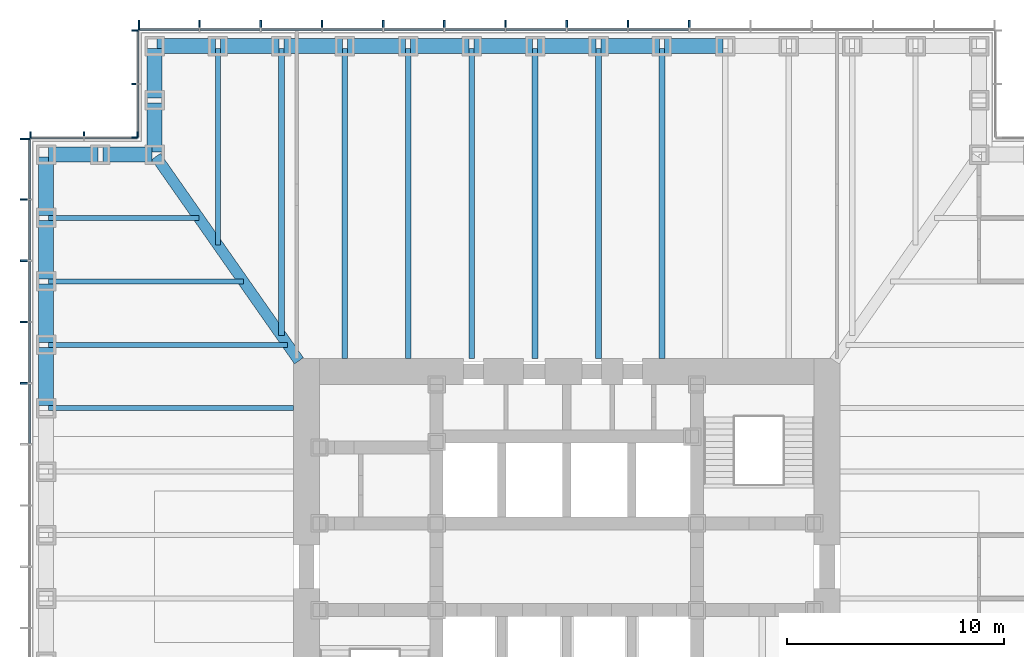
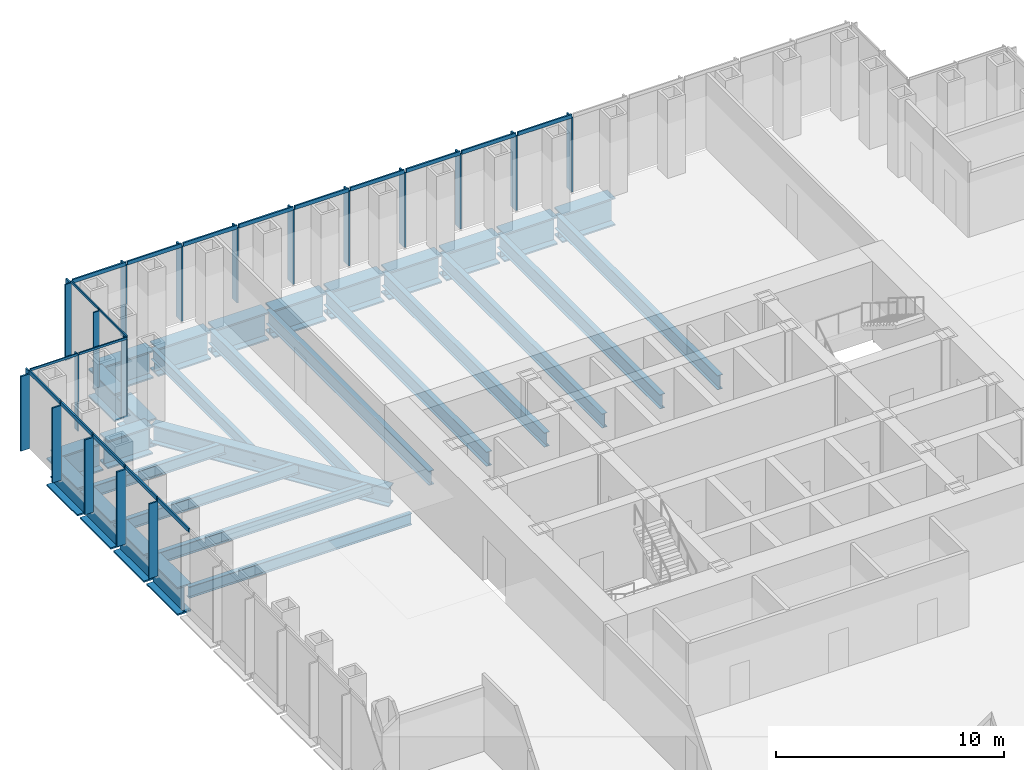
# One storey, part 5 of 16: 39 members, 30 beams, 4 elements without a shape of their own.
"""IFC4 building model written with IfcOpenShell, lengths in metres."""

from ifc_helpers import new_model, si_unit, direction, frame, origin, origin_2d, place, context, subcontext, project, spatial, rectangle, i_section, extrude, material, material_profile, profile_set, type_object, element, aggregate, save


model = new_model("IFC4")

# Units and contexts
model_context = context("Model", 3, precision=1e-05, world=origin(), true_north=direction((0.0, 1.0)))
body_context = subcontext(model_context, "Body", "Model", "MODEL_VIEW")
ifc_project = project(units=[si_unit("LENGTHUNIT", "METRE"), si_unit("AREAUNIT", "SQUARE_METRE"), si_unit("VOLUMEUNIT", "CUBIC_METRE"), si_unit("PLANEANGLEUNIT", "RADIAN"), si_unit("MASSUNIT", "GRAM", prefix="KILO")], contexts=[model_context])

# Site, building, storey
site_placement = place(None, origin())
site = spatial("IfcSite", under=ifc_project, at=site_placement, CompositionType="ELEMENT")
building_placement = place(site_placement, origin())
building = spatial("IfcBuilding", under=site, at=building_placement, Name="Daluyong Arena Tower", CompositionType="ELEMENT")
storey_placement = place(building_placement, frame((0.0, 0.0, 72.699951171875)))
storey = spatial("IfcBuildingStorey", under=building, at=storey_placement, Name="L15", CompositionType="ELEMENT", Elevation=72.699951171875)

# Curtain wall, members
ifc_material_1 = material(Name="Bronze anodised aluminium and glass", Category="aluminium")
curtain_wall_type_1 = type_object("IfcCurtainWallType", Name="Curtain wall CW1", PredefinedType="USERDEFINED", material=ifc_material_1)
curtain_wall_1_placement = place(storey_placement, origin())
curtain_wall_1 = element("IfcCurtainWall", 1, at=curtain_wall_1_placement, inside=storey, type_object=curtain_wall_type_1, Name="curtain wall L15 N", ObjectType="UNITISED CURTAIN WALL", PredefinedType="USERDEFINED")
ifc_material_2 = material(Name="Bronze anodised aluminium fin", Category="aluminium")
ifc_material_profile_1 = material_profile(ifc_material_2, rectangle(XDim=0.449951171875, YDim=0.080078125, at=origin_2d()))
ifc_profile_set_1 = profile_set([ifc_material_profile_1], Name="Bronze anodised aluminium fin")
member_type_1 = type_object("IfcMemberType", Name="CW1 bronze fin 450x80", PredefinedType="MULLION", material=ifc_profile_set_1)
member_1_placement = place(storey_placement, frame((61.642822265625, 104.97509765625, 0.0), z_axis=(0.0, 0.0, 1.0), x_axis=(0.0, -1.0, 0.0)))
member_1 = element("IfcMember", 2, at=member_1_placement, type_object=member_type_1, Name="curtain wall L15 N fin 6", PredefinedType="MULLION", context=body_context, shape_type="SweptSolid", body=[
    extrude(rectangle(XDim=0.449951171875, YDim=0.080078125, at=origin_2d()), origin(), (0.0, 0.0, 1.0), 4.0),
])
member_2_placement = place(storey_placement, frame((58.821533203125, 104.97509765625, 0.0), z_axis=(0.0, 0.0, 1.0), x_axis=(0.0, -1.0, 0.0)))
member_2 = element("IfcMember", 3, at=member_2_placement, type_object=member_type_1, Name="curtain wall L15 N fin 7", PredefinedType="MULLION", context=body_context, shape_type="SweptSolid", body=[
    extrude(rectangle(XDim=0.449951171875, YDim=0.080078125, at=origin_2d()), origin(), (0.0, 0.0, 1.0), 4.0),
])
member_3_placement = place(storey_placement, frame((56.0, 104.97509765625, 0.0), z_axis=(0.0, 0.0, 1.0), x_axis=(0.0, -1.0, 0.0)))
member_3 = element("IfcMember", 4, at=member_3_placement, type_object=member_type_1, Name="curtain wall L15 N fin 8", PredefinedType="MULLION", context=body_context, shape_type="SweptSolid", body=[
    extrude(rectangle(XDim=0.449951171875, YDim=0.080078125, at=origin_2d()), origin(), (0.0, 0.0, 1.0), 4.0),
])
member_4_placement = place(storey_placement, frame((53.178466796875, 104.97509765625, 0.0), z_axis=(0.0, 0.0, 1.0), x_axis=(0.0, -1.0, 0.0)))
member_4 = element("IfcMember", 5, at=member_4_placement, type_object=member_type_1, Name="curtain wall L15 N fin 9", PredefinedType="MULLION", context=body_context, shape_type="SweptSolid", body=[
    extrude(rectangle(XDim=0.449951171875, YDim=0.080078125, at=origin_2d()), origin(), (0.0, 0.0, 1.0), 4.0),
])
member_5_placement = place(storey_placement, frame((50.357177734375, 104.97509765625, 0.0), z_axis=(0.0, 0.0, 1.0), x_axis=(0.0, -1.0, 0.0)))
member_5 = element("IfcMember", 6, at=member_5_placement, type_object=member_type_1, Name="curtain wall L15 N fin 10", PredefinedType="MULLION", context=body_context, shape_type="SweptSolid", body=[
    extrude(rectangle(XDim=0.449951171875, YDim=0.080078125, at=origin_2d()), origin(), (0.0, 0.0, 1.0), 4.0),
])
member_6_placement = place(storey_placement, frame((47.53564453125, 104.97509765625, 0.0), z_axis=(0.0, 0.0, 1.0), x_axis=(0.0, -1.0, 0.0)))
member_6 = element("IfcMember", 7, at=member_6_placement, type_object=member_type_1, Name="curtain wall L15 N fin 11", PredefinedType="MULLION", context=body_context, shape_type="SweptSolid", body=[
    extrude(rectangle(XDim=0.449951171875, YDim=0.080078125, at=origin_2d()), origin(), (0.0, 0.0, 1.0), 4.0),
])
member_7_placement = place(storey_placement, frame((44.71435546875, 104.97509765625, 0.0), z_axis=(0.0, 0.0, 1.0), x_axis=(0.0, -1.0, 0.0)))
member_7 = element("IfcMember", 8, at=member_7_placement, type_object=member_type_1, Name="curtain wall L15 N fin 12", PredefinedType="MULLION", context=body_context, shape_type="SweptSolid", body=[
    extrude(rectangle(XDim=0.449951171875, YDim=0.080078125, at=origin_2d()), origin(), (0.0, 0.0, 1.0), 4.0),
])
member_8_placement = place(storey_placement, frame((41.892822265625, 104.97509765625, 0.0), z_axis=(0.0, 0.0, 1.0), x_axis=(0.0, -1.0, 0.0)))
member_8 = element("IfcMember", 9, at=member_8_placement, type_object=member_type_1, Name="curtain wall L15 N fin 13", PredefinedType="MULLION", context=body_context, shape_type="SweptSolid", body=[
    extrude(rectangle(XDim=0.449951171875, YDim=0.080078125, at=origin_2d()), origin(), (0.0, 0.0, 1.0), 4.0),
])
member_9_placement = place(storey_placement, frame((39.071533203125, 104.97509765625, 0.0), z_axis=(0.0, 0.0, 1.0), x_axis=(0.0, -1.0, 0.0)))
member_9 = element("IfcMember", 10, at=member_9_placement, type_object=member_type_1, Name="curtain wall L15 N fin 14", PredefinedType="MULLION", context=body_context, shape_type="SweptSolid", body=[
    extrude(rectangle(XDim=0.449951171875, YDim=0.080078125, at=origin_2d()), origin(), (0.0, 0.0, 1.0), 4.0),
])
member_10_placement = place(storey_placement, frame((36.2900390625, 104.97509765625, 0.0), z_axis=(0.0, 0.0, 1.0), x_axis=(0.0, -1.0, 0.0)))
member_10 = element("IfcMember", 11, at=member_10_placement, type_object=member_type_1, Name="curtain wall L15 N fin 15", PredefinedType="MULLION", context=body_context, shape_type="SweptSolid", body=[
    extrude(rectangle(XDim=0.449951171875, YDim=0.080078125, at=origin_2d()), origin(), (0.0, 0.0, 1.0), 4.0),
])

curtain_wall_2_placement = place(storey_placement, origin())
curtain_wall_2 = element("IfcCurtainWall", 12, at=curtain_wall_2_placement, inside=storey, type_object=curtain_wall_type_1, Name="curtain wall L15 W", ObjectType="UNITISED CURTAIN WALL", PredefinedType="USERDEFINED")
member_11_placement = place(storey_placement, frame((31.02490234375, 99.7099609375, 0.0), z_axis=(0.0, 0.0, 1.0), x_axis=(1.0, 0.0, 0.0)))
member_11 = element("IfcMember", 13, at=member_11_placement, type_object=member_type_1, Name="curtain wall L15 W fin 1", PredefinedType="MULLION", context=body_context, shape_type="SweptSolid", body=[
    extrude(rectangle(XDim=0.449951171875, YDim=0.080078125, at=origin_2d()), origin(), (0.0, 0.0, 1.0), 4.0),
])
member_12_placement = place(storey_placement, frame((31.02490234375, 96.928466796875, 0.0), z_axis=(0.0, 0.0, 1.0), x_axis=(1.0, 0.0, 0.0)))
member_12 = element("IfcMember", 14, at=member_12_placement, type_object=member_type_1, Name="curtain wall L15 W fin 2", PredefinedType="MULLION", context=body_context, shape_type="SweptSolid", body=[
    extrude(rectangle(XDim=0.449951171875, YDim=0.080078125, at=origin_2d()), origin(), (0.0, 0.0, 1.0), 4.0),
])
member_13_placement = place(storey_placement, frame((31.02490234375, 94.107177734375, 0.0), z_axis=(0.0, 0.0, 1.0), x_axis=(1.0, 0.0, 0.0)))
member_13 = element("IfcMember", 15, at=member_13_placement, type_object=member_type_1, Name="curtain wall L15 W fin 3", PredefinedType="MULLION", context=body_context, shape_type="SweptSolid", body=[
    extrude(rectangle(XDim=0.449951171875, YDim=0.080078125, at=origin_2d()), origin(), (0.0, 0.0, 1.0), 4.0),
])
member_14_placement = place(storey_placement, frame((31.02490234375, 91.28564453125, 0.0), z_axis=(0.0, 0.0, 1.0), x_axis=(1.0, 0.0, 0.0)))
member_14 = element("IfcMember", 16, at=member_14_placement, type_object=member_type_1, Name="curtain wall L15 W fin 4", PredefinedType="MULLION", context=body_context, shape_type="SweptSolid", body=[
    extrude(rectangle(XDim=0.449951171875, YDim=0.080078125, at=origin_2d()), origin(), (0.0, 0.0, 1.0), 4.0),
])
member_15_placement = place(storey_placement, frame((31.02490234375, 88.46435546875, 0.0), z_axis=(0.0, 0.0, 1.0), x_axis=(1.0, 0.0, 0.0)))
member_15 = element("IfcMember", 17, at=member_15_placement, type_object=member_type_1, Name="curtain wall L15 W fin 5", PredefinedType="MULLION", context=body_context, shape_type="SweptSolid", body=[
    extrude(rectangle(XDim=0.449951171875, YDim=0.080078125, at=origin_2d()), origin(), (0.0, 0.0, 1.0), 4.0),
])

# Member
ifc_material_3 = material(Name="Bronze anodised aluminium", Category="aluminium")
ifc_material_profile_2 = material_profile(ifc_material_3, rectangle(XDim=0.080078125, YDim=0.199951171875, at=origin_2d()))
ifc_profile_set_2 = profile_set([ifc_material_profile_2], Name="Bronze anodised aluminium")
member_type_2 = type_object("IfcMemberType", Name="CW1 stack transom 200x80", PredefinedType="USERDEFINED", material=ifc_profile_set_2)
member_16_placement = place(storey_placement, frame((61.602783203125, 104.75, 4.10009765625), z_axis=(-1.0, 0.0, 0.0), x_axis=(0.0, -1.0, 0.0)))
member_16 = element("IfcMember", 18, at=member_16_placement, type_object=member_type_2, Name="curtain wall L15 N transom 6", ObjectType="TRANSOM", PredefinedType="USERDEFINED", context=body_context, shape_type="SweptSolid", body=[
    extrude(rectangle(XDim=0.080078125, YDim=0.199951171875, at=origin_2d()), origin(), (0.0, 0.0, 1.0), 2.741455078125),
])

member_17_placement = place(storey_placement, frame((58.781494140625, 104.75, 4.10009765625), z_axis=(-1.0, 0.0, 0.0), x_axis=(0.0, -1.0, 0.0)))
member_17 = element("IfcMember", 19, at=member_17_placement, type_object=member_type_2, Name="curtain wall L15 N transom 7", ObjectType="TRANSOM", PredefinedType="USERDEFINED", context=body_context, shape_type="SweptSolid", body=[
    extrude(rectangle(XDim=0.080078125, YDim=0.199951171875, at=origin_2d()), origin(), (0.0, 0.0, 1.0), 2.741455078125),
])

member_18_placement = place(storey_placement, frame((55.9599609375, 104.75, 4.10009765625), z_axis=(-1.0, 0.0, 0.0), x_axis=(0.0, -1.0, 0.0)))
member_18 = element("IfcMember", 20, at=member_18_placement, type_object=member_type_2, Name="curtain wall L15 N transom 8", ObjectType="TRANSOM", PredefinedType="USERDEFINED", context=body_context, shape_type="SweptSolid", body=[
    extrude(rectangle(XDim=0.080078125, YDim=0.199951171875, at=origin_2d()), origin(), (0.0, 0.0, 1.0), 2.741455078125),
])

member_19_placement = place(storey_placement, frame((53.138671875, 104.75, 4.10009765625), z_axis=(-1.0, 0.0, 0.0), x_axis=(0.0, -1.0, 0.0)))
member_19 = element("IfcMember", 21, at=member_19_placement, type_object=member_type_2, Name="curtain wall L15 N transom 9", ObjectType="TRANSOM", PredefinedType="USERDEFINED", context=body_context, shape_type="SweptSolid", body=[
    extrude(rectangle(XDim=0.080078125, YDim=0.199951171875, at=origin_2d()), origin(), (0.0, 0.0, 1.0), 2.741455078125),
])

member_20_placement = place(storey_placement, frame((50.317138671875, 104.75, 4.10009765625), z_axis=(-1.0, 0.0, 0.0), x_axis=(0.0, -1.0, 0.0)))
member_20 = element("IfcMember", 22, at=member_20_placement, type_object=member_type_2, Name="curtain wall L15 N transom 10", ObjectType="TRANSOM", PredefinedType="USERDEFINED", context=body_context, shape_type="SweptSolid", body=[
    extrude(rectangle(XDim=0.080078125, YDim=0.199951171875, at=origin_2d()), origin(), (0.0, 0.0, 1.0), 2.741455078125),
])

member_21_placement = place(storey_placement, frame((47.49560546875, 104.75, 4.10009765625), z_axis=(-1.0, 0.0, 0.0), x_axis=(0.0, -1.0, 0.0)))
member_21 = element("IfcMember", 23, at=member_21_placement, type_object=member_type_2, Name="curtain wall L15 N transom 11", ObjectType="TRANSOM", PredefinedType="USERDEFINED", context=body_context, shape_type="SweptSolid", body=[
    extrude(rectangle(XDim=0.080078125, YDim=0.199951171875, at=origin_2d()), origin(), (0.0, 0.0, 1.0), 2.7412109375),
])

member_22_placement = place(storey_placement, frame((44.67431640625, 104.75, 4.10009765625), z_axis=(-1.0, 0.0, 0.0), x_axis=(0.0, -1.0, 0.0)))
member_22 = element("IfcMember", 24, at=member_22_placement, type_object=member_type_2, Name="curtain wall L15 N transom 12", ObjectType="TRANSOM", PredefinedType="USERDEFINED", context=body_context, shape_type="SweptSolid", body=[
    extrude(rectangle(XDim=0.080078125, YDim=0.199951171875, at=origin_2d()), origin(), (0.0, 0.0, 1.0), 2.741455078125),
])

member_23_placement = place(storey_placement, frame((41.852783203125, 104.75, 4.10009765625), z_axis=(-1.0, 0.0, 0.0), x_axis=(0.0, -1.0, 0.0)))
member_23 = element("IfcMember", 25, at=member_23_placement, type_object=member_type_2, Name="curtain wall L15 N transom 13", ObjectType="TRANSOM", PredefinedType="USERDEFINED", context=body_context, shape_type="SweptSolid", body=[
    extrude(rectangle(XDim=0.080078125, YDim=0.199951171875, at=origin_2d()), origin(), (0.0, 0.0, 1.0), 2.741455078125),
])

member_24_placement = place(storey_placement, frame((39.031494140625, 104.75, 4.10009765625), z_axis=(-1.0, 0.0, 0.0), x_axis=(0.0, -1.0, 0.0)))
member_24 = element("IfcMember", 26, at=member_24_placement, type_object=member_type_2, Name="curtain wall L15 N transom 14", ObjectType="TRANSOM", PredefinedType="USERDEFINED", context=body_context, shape_type="SweptSolid", body=[
    extrude(rectangle(XDim=0.080078125, YDim=0.199951171875, at=origin_2d()), origin(), (0.0, 0.0, 1.0), 2.701416015625),
])

aggregate(curtain_wall_1, [member_1, member_2, member_3, member_4, member_5, member_6, member_7, member_8, member_9, member_10, member_16, member_17, member_18, member_19, member_20, member_21, member_22, member_23, member_24])

member_25_placement = place(storey_placement, frame((31.25, 99.669921875, 4.10009765625), z_axis=(0.0, -1.0, 0.0), x_axis=(1.0, 0.0, 0.0)))
member_25 = element("IfcMember", 27, at=member_25_placement, type_object=member_type_2, Name="curtain wall L15 W transom 1", ObjectType="TRANSOM", PredefinedType="USERDEFINED", context=body_context, shape_type="SweptSolid", body=[
    extrude(rectangle(XDim=0.080078125, YDim=0.199951171875, at=origin_2d()), origin(), (0.0, 0.0, 1.0), 2.701416015625),
])

member_26_placement = place(storey_placement, frame((31.25, 96.888671875, 4.10009765625), z_axis=(0.0, -1.0, 0.0), x_axis=(1.0, 0.0, 0.0)))
member_26 = element("IfcMember", 28, at=member_26_placement, type_object=member_type_2, Name="curtain wall L15 W transom 2", ObjectType="TRANSOM", PredefinedType="USERDEFINED", context=body_context, shape_type="SweptSolid", body=[
    extrude(rectangle(XDim=0.080078125, YDim=0.199951171875, at=origin_2d()), origin(), (0.0, 0.0, 1.0), 2.741455078125),
])

member_27_placement = place(storey_placement, frame((31.25, 94.067138671875, 4.10009765625), z_axis=(0.0, -1.0, 0.0), x_axis=(1.0, 0.0, 0.0)))
member_27 = element("IfcMember", 29, at=member_27_placement, type_object=member_type_2, Name="curtain wall L15 W transom 3", ObjectType="TRANSOM", PredefinedType="USERDEFINED", context=body_context, shape_type="SweptSolid", body=[
    extrude(rectangle(XDim=0.080078125, YDim=0.199951171875, at=origin_2d()), origin(), (0.0, 0.0, 1.0), 2.741455078125),
])

member_28_placement = place(storey_placement, frame((31.25, 91.24560546875, 4.10009765625), z_axis=(0.0, -1.0, 0.0), x_axis=(1.0, 0.0, 0.0)))
member_28 = element("IfcMember", 30, at=member_28_placement, type_object=member_type_2, Name="curtain wall L15 W transom 4", ObjectType="TRANSOM", PredefinedType="USERDEFINED", context=body_context, shape_type="SweptSolid", body=[
    extrude(rectangle(XDim=0.080078125, YDim=0.199951171875, at=origin_2d()), origin(), (0.0, 0.0, 1.0), 2.7412109375),
])

member_29_placement = place(storey_placement, frame((31.25, 88.42431640625, 4.10009765625), z_axis=(0.0, -1.0, 0.0), x_axis=(1.0, 0.0, 0.0)))
member_29 = element("IfcMember", 31, at=member_29_placement, type_object=member_type_2, Name="curtain wall L15 W transom 5", ObjectType="TRANSOM", PredefinedType="USERDEFINED", context=body_context, shape_type="SweptSolid", body=[
    extrude(rectangle(XDim=0.080078125, YDim=0.199951171875, at=origin_2d()), origin(), (0.0, 0.0, 1.0), 2.741455078125),
])

aggregate(curtain_wall_2, [member_11, member_12, member_13, member_14, member_15, member_25, member_26, member_27, member_28, member_29])

# Curtain wall, members
ifc_material_4 = material(Name="Bronze anodised aluminium and glass", Category="aluminium")
curtain_wall_type_2 = type_object("IfcCurtainWallType", Name="Curtain wall CW7", PredefinedType="USERDEFINED", material=ifc_material_4)
curtain_wall_3_placement = place(storey_placement, origin())
curtain_wall_3 = element("IfcCurtainWall", 32, at=curtain_wall_3_placement, inside=storey, type_object=curtain_wall_type_2, Name="curtain wall L15 NW-W", ObjectType="UNITISED CURTAIN WALL", PredefinedType="USERDEFINED")
ifc_material_5 = material(Name="Bronze anodised aluminium fin", Category="aluminium")
ifc_material_profile_3 = material_profile(ifc_material_5, rectangle(XDim=0.300048828125, YDim=0.06005859375, at=origin_2d()))
ifc_profile_set_3 = profile_set([ifc_material_profile_3], Name="Bronze anodised aluminium fin")
member_type_3 = type_object("IfcMemberType", Name="CW7 bronze fin 300x60", PredefinedType="MULLION", material=ifc_profile_set_3)
member_30_placement = place(storey_placement, frame((36.10009765625, 104.719970703125, 0.0), z_axis=(0.0, 0.0, 1.0), x_axis=(1.0, 0.0, 0.0)))
member_30 = element("IfcMember", 33, at=member_30_placement, type_object=member_type_3, Name="curtain wall L15 NW-W fin 1", PredefinedType="MULLION", context=body_context, shape_type="SweptSolid", body=[
    extrude(rectangle(XDim=0.300048828125, YDim=0.06005859375, at=origin_2d()), origin(), (0.0, 0.0, 1.0), 4.080078125),
])
member_31_placement = place(storey_placement, frame((36.10009765625, 102.25, 0.0), z_axis=(0.0, 0.0, 1.0), x_axis=(1.0, 0.0, 0.0)))
member_31 = element("IfcMember", 34, at=member_31_placement, type_object=member_type_3, Name="curtain wall L15 NW-W fin 2", PredefinedType="MULLION", context=body_context, shape_type="SweptSolid", body=[
    extrude(rectangle(XDim=0.300048828125, YDim=0.06005859375, at=origin_2d()), origin(), (0.0, 0.0, 1.0), 4.080078125),
])
member_32_placement = place(storey_placement, frame((36.10009765625, 99.780029296875, 0.0), z_axis=(0.0, 0.0, 1.0), x_axis=(1.0, 0.0, 0.0)))
member_32 = element("IfcMember", 35, at=member_32_placement, type_object=member_type_3, Name="curtain wall L15 NW-W fin 3", PredefinedType="MULLION", context=body_context, shape_type="SweptSolid", body=[
    extrude(rectangle(XDim=0.300048828125, YDim=0.06005859375, at=origin_2d()), origin(), (0.0, 0.0, 1.0), 4.080078125),
])

curtain_wall_4_placement = place(storey_placement, origin())
curtain_wall_4 = element("IfcCurtainWall", 36, at=curtain_wall_4_placement, inside=storey, type_object=curtain_wall_type_2, Name="curtain wall L15 NW-N", ObjectType="UNITISED CURTAIN WALL", PredefinedType="USERDEFINED")
member_33_placement = place(storey_placement, frame((36.219970703125, 99.89990234375, 0.0), z_axis=(0.0, 0.0, 1.0), x_axis=(0.0, -1.0, 0.0)))
member_33 = element("IfcMember", 37, at=member_33_placement, type_object=member_type_3, Name="curtain wall L15 NW-N fin 1", PredefinedType="MULLION", context=body_context, shape_type="SweptSolid", body=[
    extrude(rectangle(XDim=0.300048828125, YDim=0.06005859375, at=origin_2d()), origin(), (0.0, 0.0, 1.0), 4.080078125),
])
member_34_placement = place(storey_placement, frame((33.75, 99.89990234375, 0.0), z_axis=(0.0, 0.0, 1.0), x_axis=(0.0, -1.0, 0.0)))
member_34 = element("IfcMember", 38, at=member_34_placement, type_object=member_type_3, Name="curtain wall L15 NW-N fin 2", PredefinedType="MULLION", context=body_context, shape_type="SweptSolid", body=[
    extrude(rectangle(XDim=0.300048828125, YDim=0.06005859375, at=origin_2d()), origin(), (0.0, 0.0, 1.0), 4.080078125),
])
member_35_placement = place(storey_placement, frame((31.280029296875, 99.89990234375, 0.0), z_axis=(0.0, 0.0, 1.0), x_axis=(0.0, -1.0, 0.0)))
member_35 = element("IfcMember", 39, at=member_35_placement, type_object=member_type_3, Name="curtain wall L15 NW-N fin 3", PredefinedType="MULLION", context=body_context, shape_type="SweptSolid", body=[
    extrude(rectangle(XDim=0.300048828125, YDim=0.06005859375, at=origin_2d()), origin(), (0.0, 0.0, 1.0), 4.080078125),
])

# Member
ifc_material_6 = material(Name="Bronze anodised aluminium", Category="aluminium")
ifc_material_profile_4 = material_profile(ifc_material_6, rectangle(XDim=0.06005859375, YDim=0.1201171875, at=origin_2d()))
ifc_profile_set_4 = profile_set([ifc_material_profile_4], Name="Bronze anodised aluminium")
member_type_4 = type_object("IfcMemberType", Name="CW7 stack transom 120x60", PredefinedType="USERDEFINED", material=ifc_profile_set_4)
member_36_placement = place(storey_placement, frame((36.25, 104.68994140625, 4.14013671875), z_axis=(0.0, -1.0, 0.0), x_axis=(1.0, 0.0, 0.0)))
member_36 = element("IfcMember", 40, at=member_36_placement, type_object=member_type_4, Name="curtain wall L15 NW-W transom 1", ObjectType="TRANSOM", PredefinedType="USERDEFINED", context=body_context, shape_type="SweptSolid", body=[
    extrude(rectangle(XDim=0.06005859375, YDim=0.1201171875, at=origin_2d()), origin(), (0.0, 0.0, 1.0), 2.409912109375),
])

member_37_placement = place(storey_placement, frame((36.25, 102.219970703125, 4.14013671875), z_axis=(0.0, -1.0, 0.0), x_axis=(1.0, 0.0, 0.0)))
member_37 = element("IfcMember", 41, at=member_37_placement, type_object=member_type_4, Name="curtain wall L15 NW-W transom 2", ObjectType="TRANSOM", PredefinedType="USERDEFINED", context=body_context, shape_type="SweptSolid", body=[
    extrude(rectangle(XDim=0.06005859375, YDim=0.1201171875, at=origin_2d()), origin(), (0.0, 0.0, 1.0), 2.409912109375),
])

aggregate(curtain_wall_3, [member_30, member_31, member_32, member_36, member_37])

member_38_placement = place(storey_placement, frame((36.18994140625, 99.75, 4.14013671875), z_axis=(-1.0, 0.0, 0.0), x_axis=(0.0, -1.0, 0.0)))
member_38 = element("IfcMember", 42, at=member_38_placement, type_object=member_type_4, Name="curtain wall L15 NW-N transom 1", ObjectType="TRANSOM", PredefinedType="USERDEFINED", context=body_context, shape_type="SweptSolid", body=[
    extrude(rectangle(XDim=0.06005859375, YDim=0.1201171875, at=origin_2d()), origin(), (0.0, 0.0, 1.0), 2.409912109375),
])

member_39_placement = place(storey_placement, frame((33.719970703125, 99.75, 4.14013671875), z_axis=(-1.0, 0.0, 0.0), x_axis=(0.0, -1.0, 0.0)))
member_39 = element("IfcMember", 43, at=member_39_placement, type_object=member_type_4, Name="curtain wall L15 NW-N transom 2", ObjectType="TRANSOM", PredefinedType="USERDEFINED", context=body_context, shape_type="SweptSolid", body=[
    extrude(rectangle(XDim=0.06005859375, YDim=0.1201171875, at=origin_2d()), origin(), (0.0, 0.0, 1.0), 2.409912109375),
])

aggregate(curtain_wall_4, [member_33, member_34, member_35, member_38, member_39])

# Beams
ifc_material_7 = material(Name="Steel ASTM A572 Grade 50", Category="steel")
ifc_material_profile_5 = material_profile(ifc_material_7, i_section(OverallWidth=0.5, OverallDepth=1.0, WebThickness=0.03, FlangeThickness=0.06, at=origin_2d()))
ifc_profile_set_5 = profile_set([ifc_material_profile_5], Name="Steel ASTM A572 Grade 50")
beam_type_1 = type_object("IfcBeamType", Name="Corner girder TB1000X500", PredefinedType="BEAM", material=ifc_profile_set_5)
beam_1_placement = place(storey_placement, frame((37.06591796875, 98.90576171875, -0.659912109375), z_axis=(0.573466621875, -0.819228926244, 0.0), x_axis=(0.819228926244, 0.573466621875, 0.0)))
element("IfcBeam", 44, at=beam_1_placement, inside=storey, type_object=beam_type_1, Name="corner girder DG2", PredefinedType="BEAM", context=body_context, shape_type="SweptSolid", body=[
    extrude(i_section(OverallWidth=0.5, OverallDepth=1.0, WebThickness=0.03, FlangeThickness=0.06, at=origin_2d()), origin(), (0.0, 0.0, 1.0), 11.49169921875),
])
ifc_material_8 = material(Name="Steel ASTM A992 Grade 50", Category="steel")
ifc_material_profile_6 = material_profile(ifc_material_8, i_section(OverallWidth=0.22900390625, OverallDepth=0.612060546875, WebThickness=0.011962890625, FlangeThickness=0.01953125, at=origin_2d()))
ifc_profile_set_6 = profile_set([ifc_material_profile_6], Name="Steel ASTM A992 Grade 50")
beam_type_2 = type_object("IfcBeamType", Name="Floor beam W24X84", PredefinedType="BEAM", material=ifc_profile_set_6)
beam_2_placement = place(storey_placement, frame((39.923095703125, 103.885009765625, -0.466064453125), z_axis=(0.0, -1.0, 0.0), x_axis=(1.0, 0.0, 0.0)))
element("IfcBeam", 45, at=beam_2_placement, inside=storey, type_object=beam_type_2, Name="floor beam FB3", PredefinedType="BEAM", context=body_context, shape_type="SweptSolid", body=[
    extrude(i_section(OverallWidth=0.22900390625, OverallDepth=0.612060546875, WebThickness=0.011962890625, FlangeThickness=0.01953125, at=origin_2d()), origin(), (0.0, 0.0, 1.0), 9.060791015625),
])
beam_3_placement = place(storey_placement, frame((32.114990234375, 96.076904296875, -0.466064453125), z_axis=(1.0, 0.0, 0.0), x_axis=(0.0, 1.0, 0.0)))
element("IfcBeam", 46, at=beam_3_placement, inside=storey, type_object=beam_type_2, Name="floor beam FB3", PredefinedType="BEAM", context=body_context, shape_type="SweptSolid", body=[
    extrude(i_section(OverallWidth=0.22900390625, OverallDepth=0.612060546875, WebThickness=0.011962890625, FlangeThickness=0.01953125, at=origin_2d()), origin(), (0.0, 0.0, 1.0), 6.93115234375),
])
beam_4_placement = place(storey_placement, frame((32.114990234375, 93.15380859375, -0.466064453125), z_axis=(1.0, 0.0, 0.0), x_axis=(0.0, 1.0, 0.0)))
element("IfcBeam", 47, at=beam_4_placement, inside=storey, type_object=beam_type_2, Name="floor beam FB3", PredefinedType="BEAM", context=body_context, shape_type="SweptSolid", body=[
    extrude(i_section(OverallWidth=0.22900390625, OverallDepth=0.612060546875, WebThickness=0.011962890625, FlangeThickness=0.01953125, at=origin_2d()), origin(), (0.0, 0.0, 1.0), 8.977294921875),
])
beam_5_placement = place(storey_placement, frame((32.114990234375, 90.230712890625, -0.466064453125), z_axis=(1.0, 0.0, 0.0), x_axis=(0.0, 1.0, 0.0)))
element("IfcBeam", 48, at=beam_5_placement, inside=storey, type_object=beam_type_2, Name="floor beam FB3", PredefinedType="BEAM", context=body_context, shape_type="SweptSolid", body=[
    extrude(i_section(OverallWidth=0.22900390625, OverallDepth=0.612060546875, WebThickness=0.011962890625, FlangeThickness=0.01953125, at=origin_2d()), origin(), (0.0, 0.0, 1.0), 11.0234375),
])
beam_6_placement = place(storey_placement, frame((32.114990234375, 87.3076171875, -0.466064453125), z_axis=(1.0, 0.0, 0.0), x_axis=(0.0, 1.0, 0.0)))
element("IfcBeam", 49, at=beam_6_placement, inside=storey, type_object=beam_type_2, Name="floor beam FB3", PredefinedType="BEAM", context=body_context, shape_type="SweptSolid", body=[
    extrude(i_section(OverallWidth=0.22900390625, OverallDepth=0.612060546875, WebThickness=0.011962890625, FlangeThickness=0.01953125, at=origin_2d()), origin(), (0.0, 0.0, 1.0), 11.284912109375),
])
ifc_material_9 = material(Name="Steel ASTM A992 Grade 50", Category="steel")
ifc_material_profile_7 = material_profile(ifc_material_9, i_section(OverallWidth=0.2666015625, OverallDepth=0.761962890625, WebThickness=0.014404296875, FlangeThickness=0.021484375, at=origin_2d()))
ifc_profile_set_7 = profile_set([ifc_material_profile_7], Name="Steel ASTM A992 Grade 50")
beam_type_3 = type_object("IfcBeamType", Name="Floor beam W30X116", PredefinedType="BEAM", material=ifc_profile_set_7)
for number, where, z_axis, x_axis, name in (
    (50, (60.384521484375, 103.885009765625, -0.541015625), (0.0, -1.0, 0.0), (1.0, 0.0, 0.0), "floor beam FB4"),
    (51, (57.46142578125, 103.885009765625, -0.541015625), (0.0, -1.0, 0.0), (1.0, 0.0, 0.0), "floor beam FB4"),
    (52, (54.53857421875, 103.885009765625, -0.541015625), (0.0, -1.0, 0.0), (1.0, 0.0, 0.0), "floor beam FB4"),
    (53, (51.615478515625, 103.885009765625, -0.541015625), (0.0, -1.0, 0.0), (1.0, 0.0, 0.0), "floor beam FB4"),
    (54, (48.6923828125, 103.885009765625, -0.541015625), (0.0, -1.0, 0.0), (1.0, 0.0, 0.0), "floor beam FB4"),
    (55, (45.769287109375, 103.885009765625, -0.541015625), (0.0, -1.0, 0.0), (1.0, 0.0, 0.0), "floor beam FB4"),
):
    element("IfcBeam", number, at=place(storey_placement, frame(where, z_axis=z_axis, x_axis=x_axis)), inside=storey, type_object=beam_type_3, Name=name, PredefinedType="BEAM", context=body_context, shape_type="SweptSolid", body=[
        extrude(i_section(OverallWidth=0.2666015625, OverallDepth=0.761962890625, WebThickness=0.014404296875, FlangeThickness=0.021484375, at=origin_2d()), origin(), (0.0, 0.0, 1.0), 14.284912109375),
    ])
beam_7_placement = place(storey_placement, frame((42.84619140625, 103.885009765625, -0.541015625), z_axis=(0.0, -1.0, 0.0), x_axis=(1.0, 0.0, 0.0)))
element("IfcBeam", 56, at=beam_7_placement, inside=storey, type_object=beam_type_3, Name="floor beam FB4", PredefinedType="BEAM", context=body_context, shape_type="SweptSolid", body=[
    extrude(i_section(OverallWidth=0.2666015625, OverallDepth=0.761962890625, WebThickness=0.014404296875, FlangeThickness=0.021484375, at=origin_2d()), origin(), (0.0, 0.0, 1.0), 13.236572265625),
])
ifc_material_10 = material(Name="Steel ASTM A572 Grade 50", Category="steel")
ifc_material_profile_8 = material_profile(ifc_material_10, i_section(OverallWidth=0.699951171875, OverallDepth=1.5, WebThickness=0.04, FlangeThickness=0.08, at=origin_2d()))
ifc_profile_set_8 = profile_set([ifc_material_profile_8], Name="Steel ASTM A572 Grade 50")
beam_type_4 = type_object("IfcBeamType", Name="Spandrel Z1 PG1500X700", PredefinedType="SPANDREL", material=ifc_profile_set_8)
for number, where, z_axis, x_axis, name in (
    (57, (63.192626953125, 104.0, -0.909912109375), (-1.0, 0.0, 0.0), (0.0, -1.0, 0.0), "spandrel z1 SB4"),
    (58, (60.26953125, 104.0, -0.909912109375), (-1.0, 0.0, 0.0), (0.0, -1.0, 0.0), "spandrel z1 SB4"),
):
    element("IfcBeam", number, at=place(storey_placement, frame(where, z_axis=z_axis, x_axis=x_axis)), inside=storey, type_object=beam_type_4, Name=name, PredefinedType="SPANDREL", context=body_context, shape_type="SweptSolid", body=[
        extrude(i_section(OverallWidth=0.699951171875, OverallDepth=1.5, WebThickness=0.04, FlangeThickness=0.08, at=origin_2d()), origin(), (0.0, 0.0, 1.0), 2.693115234375),
    ])
beam_8_placement = place(storey_placement, frame((57.346435546875, 104.0, -0.909912109375), z_axis=(-1.0, 0.0, 0.0), x_axis=(0.0, -1.0, 0.0)))
element("IfcBeam", 59, at=beam_8_placement, inside=storey, type_object=beam_type_4, Name="spandrel z1 SB4", PredefinedType="SPANDREL", context=body_context, shape_type="SweptSolid", body=[
    extrude(i_section(OverallWidth=0.699951171875, OverallDepth=1.5, WebThickness=0.04, FlangeThickness=0.08, at=origin_2d()), origin(), (0.0, 0.0, 1.0), 2.69287109375),
])
for number, where, z_axis, x_axis, name in (
    (60, (54.423583984375, 104.0, -0.909912109375), (-1.0, 0.0, 0.0), (0.0, -1.0, 0.0), "spandrel z1 SB4"),
    (61, (51.50048828125, 104.0, -0.909912109375), (-1.0, 0.0, 0.0), (0.0, -1.0, 0.0), "spandrel z1 SB4"),
    (62, (48.577392578125, 104.0, -0.909912109375), (-1.0, 0.0, 0.0), (0.0, -1.0, 0.0), "spandrel z1 SB4"),
    (63, (45.654296875, 104.0, -0.909912109375), (-1.0, 0.0, 0.0), (0.0, -1.0, 0.0), "spandrel z1 SB4"),
    (64, (42.731201171875, 104.0, -0.909912109375), (-1.0, 0.0, 0.0), (0.0, -1.0, 0.0), "spandrel z1 SB4"),
    (65, (39.80810546875, 104.0, -0.909912109375), (-1.0, 0.0, 0.0), (0.0, -1.0, 0.0), "spandrel z1 SB4"),
):
    element("IfcBeam", number, at=place(storey_placement, frame(where, z_axis=z_axis, x_axis=x_axis)), inside=storey, type_object=beam_type_4, Name=name, PredefinedType="SPANDREL", context=body_context, shape_type="SweptSolid", body=[
        extrude(i_section(OverallWidth=0.699951171875, OverallDepth=1.5, WebThickness=0.04, FlangeThickness=0.08, at=origin_2d()), origin(), (0.0, 0.0, 1.0), 2.693115234375),
    ])
for number, where, z_axis, x_axis, name in (
    (66, (37.0, 103.885009765625, -0.909912109375), (0.0, -1.0, 0.0), (1.0, 0.0, 0.0), "spandrel z1 SB4"),
    (67, (37.0, 101.385009765625, -0.909912109375), (0.0, -1.0, 0.0), (1.0, 0.0, 0.0), "spandrel z1 SB4"),
    (68, (36.885009765625, 99.0, -0.909912109375), (-1.0, 0.0, 0.0), (0.0, -1.0, 0.0), "spandrel z1 SB4"),
    (69, (34.385009765625, 99.0, -0.909912109375), (-1.0, 0.0, 0.0), (0.0, -1.0, 0.0), "spandrel z1 SB4"),
):
    element("IfcBeam", number, at=place(storey_placement, frame(where, z_axis=z_axis, x_axis=x_axis)), inside=storey, type_object=beam_type_4, Name=name, PredefinedType="SPANDREL", context=body_context, shape_type="SweptSolid", body=[
        extrude(i_section(OverallWidth=0.699951171875, OverallDepth=1.5, WebThickness=0.04, FlangeThickness=0.08, at=origin_2d()), origin(), (0.0, 0.0, 1.0), 2.27001953125),
    ])
for number, where, z_axis, x_axis, name in (
    (70, (32.0, 98.885009765625, -0.909912109375), (0.0, -1.0, 0.0), (1.0, 0.0, 0.0), "spandrel z1 SB4"),
    (71, (32.0, 95.9619140625, -0.909912109375), (0.0, -1.0, 0.0), (1.0, 0.0, 0.0), "spandrel z1 SB4"),
    (72, (32.0, 93.038818359375, -0.909912109375), (0.0, -1.0, 0.0), (1.0, 0.0, 0.0), "spandrel z1 SB4"),
    (73, (32.0, 90.11572265625, -0.909912109375), (0.0, -1.0, 0.0), (1.0, 0.0, 0.0), "spandrel z1 SB4"),
):
    element("IfcBeam", number, at=place(storey_placement, frame(where, z_axis=z_axis, x_axis=x_axis)), inside=storey, type_object=beam_type_4, Name=name, PredefinedType="SPANDREL", context=body_context, shape_type="SweptSolid", body=[
        extrude(i_section(OverallWidth=0.699951171875, OverallDepth=1.5, WebThickness=0.04, FlangeThickness=0.08, at=origin_2d()), origin(), (0.0, 0.0, 1.0), 2.693115234375),
    ])

save(model, "model.ifc")
